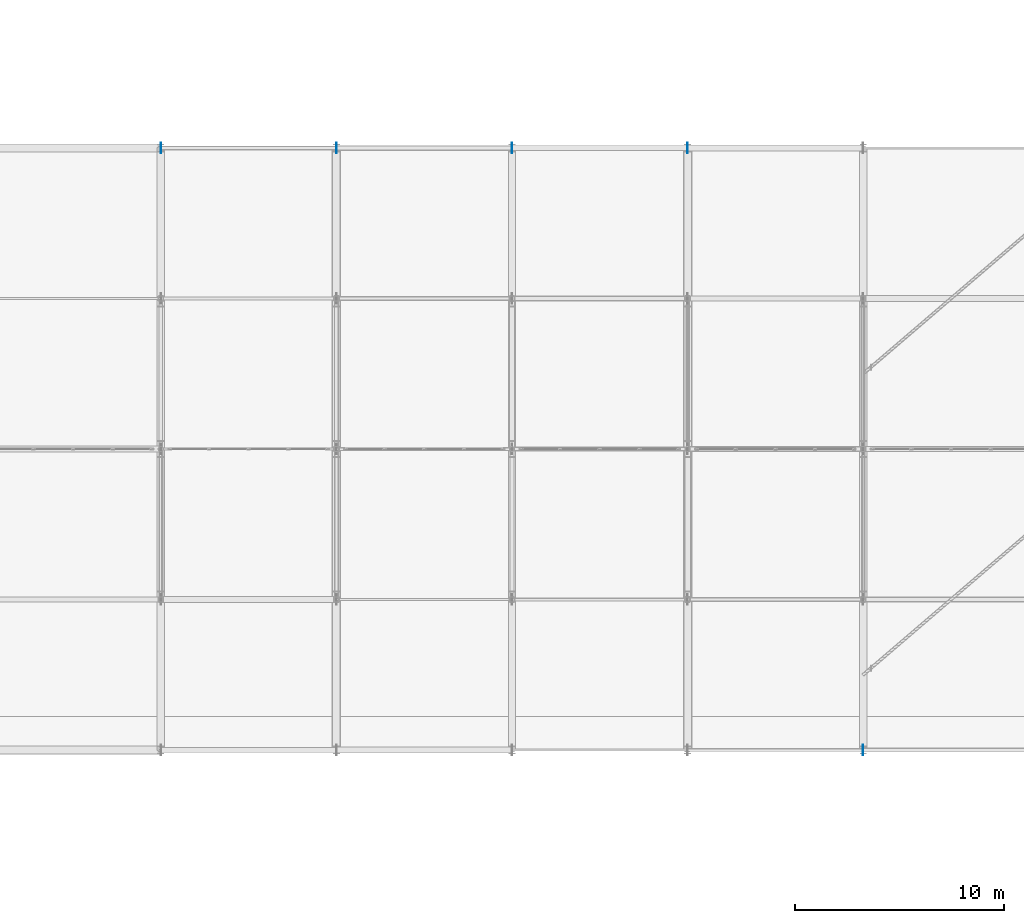
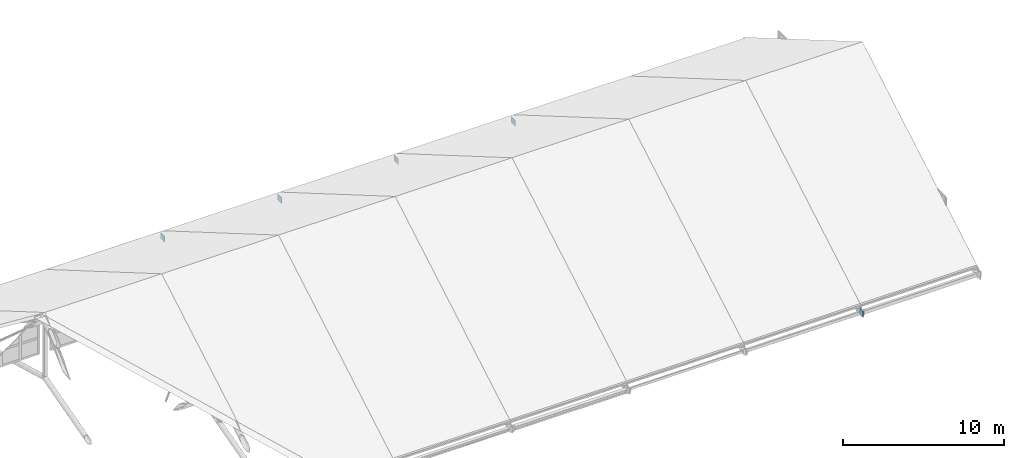
# One storey, part 46 of 54: 5 plates.
"""IFC4 building model written with IfcOpenShell, lengths in metres."""

from ifc_helpers import new_model, si_unit, direction, frame, origin, origin_2d, place, context, subcontext, project, spatial, rectangle, extrude, material, layer, layer_set, type_object, element, save


model = new_model("IFC4")

# Units and contexts
model_context = context("Model", 3, precision=1e-05, world=origin(), true_north=direction((0.0, 1.0)))
body_context = subcontext(model_context, "Body", "Model", "MODEL_VIEW")
ifc_project = project(units=[si_unit("LENGTHUNIT", "METRE"), si_unit("AREAUNIT", "SQUARE_METRE"), si_unit("VOLUMEUNIT", "CUBIC_METRE"), si_unit("PLANEANGLEUNIT", "RADIAN"), si_unit("MASSUNIT", "GRAM", prefix="KILO")], contexts=[model_context])

# Site, building, storey
site_placement = place(None, origin())
site = spatial("IfcSite", under=ifc_project, at=site_placement, CompositionType="ELEMENT")
building_placement = place(site_placement, origin())
building = spatial("IfcBuilding", under=site, at=building_placement, Name="Zulmaris Art Gallery", CompositionType="ELEMENT")
storey_placement = place(building_placement, frame((0.0, 0.0, 26.39990234375)))
storey = spatial("IfcBuildingStorey", under=building, at=storey_placement, Name="L05", CompositionType="ELEMENT", Elevation=26.39990234375)

# Plates
ifc_material = material(Name="Steel S355J2", Category="steel")
ifc_layer = layer(ifc_material, 0.02392578125)
ifc_layer_set = layer_set([ifc_layer], Name="Steel S355J2")
plate_type = type_object("IfcPlateType", Name="PLT-GP01", PredefinedType="USERDEFINED", material=ifc_layer_set)
for number, where, z_axis, x_axis, name in (
    (1, (40.800048828125, 50.39990234375, -0.719970703125), (0.0, 0.0, 1.0), (1.0, 0.0, 0.0), "Pitched truss TR-R05 node gusset 5"),
    (2, (49.199951171875, 50.39990234375, -0.719970703125), (0.0, 0.0, 1.0), (1.0, 0.0, 0.0), "Pitched truss TR-R06 node gusset 5"),
    (3, (57.60009765625, 50.39990234375, -0.719970703125), (0.0, 0.0, 1.0), (1.0, 0.0, 0.0), "Pitched truss TR-R07 node gusset 5"),
    (4, (66.0, 50.39990234375, -0.719970703125), (0.0, 0.0, 1.0), (1.0, 0.0, 0.0), "Pitched truss TR-R08 node gusset 5"),
    (5, (74.39990234375, 21.60009765625, -0.719970703125), (0.0, 0.0, 1.0), (1.0, 0.0, 0.0), "Pitched truss TR-R09 node gusset 1"),
):
    element("IfcPlate", number, at=place(storey_placement, frame(where, z_axis=z_axis, x_axis=x_axis)), inside=storey, type_object=plate_type, Name=name, ObjectType="GUSSET PLATE", PredefinedType="USERDEFINED", context=body_context, shape_type="SweptSolid", body=[
        extrude(rectangle(XDim=0.02392578125, YDim=0.52001953125, at=origin_2d()), origin(), (0.0, 0.0, 1.0), 0.43994140625),
    ])

save(model, "model.ifc")
